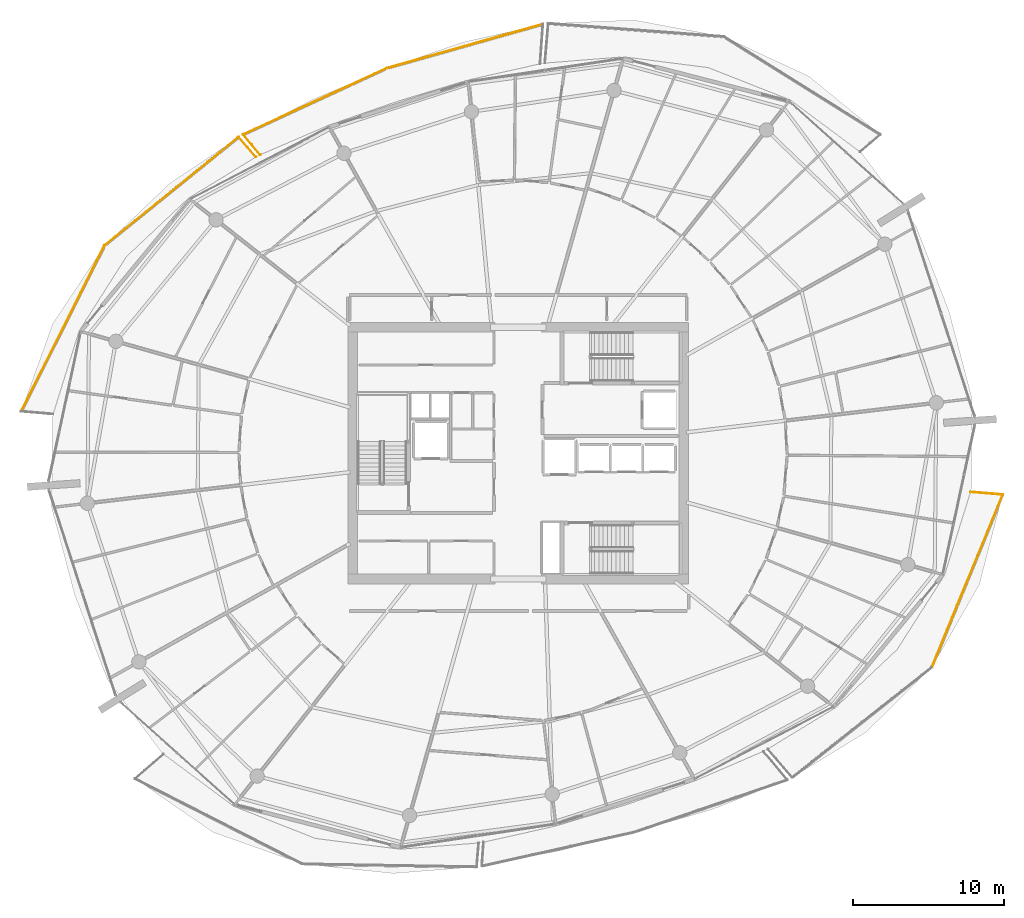
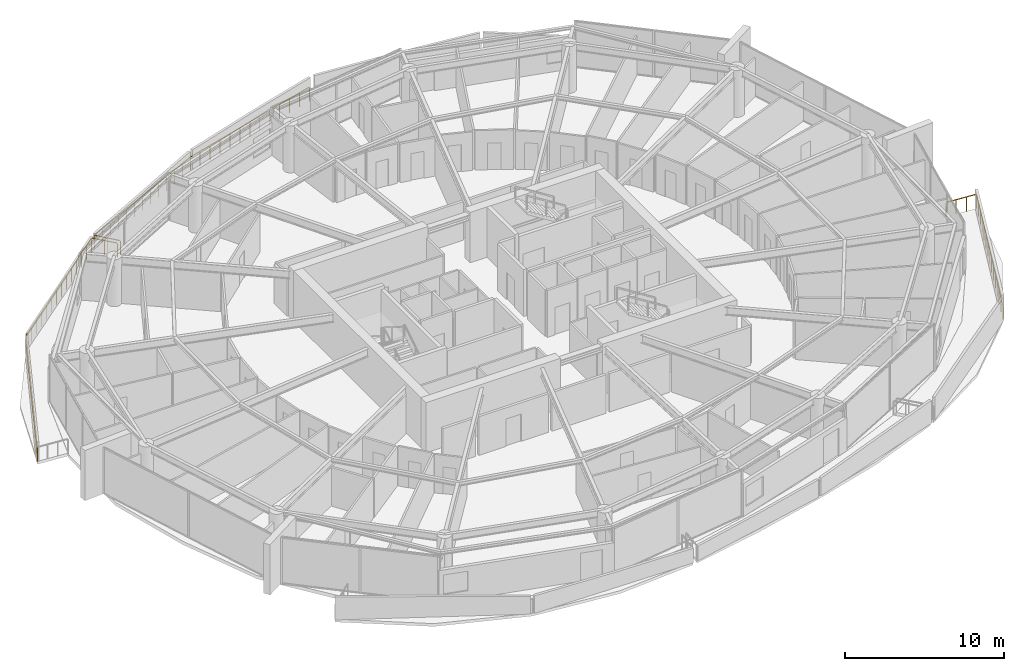
# One storey, part 27 of 29: 8 railings.
"""IFC4 building model written with IfcOpenShell, lengths in metres."""

from ifc_helpers import new_model, si_unit, direction, frame, origin, origin_2d, place, context, subcontext, project, spatial, rectangle, extrude, material, type_object, element, save


model = new_model("IFC4")

# Units and contexts
model_context = context("Model", 3, precision=1e-05, world=origin(), true_north=direction((0.0, 1.0)))
body_context = subcontext(model_context, "Body", "Model", "MODEL_VIEW")
ifc_project = project(units=[si_unit("LENGTHUNIT", "METRE"), si_unit("AREAUNIT", "SQUARE_METRE"), si_unit("VOLUMEUNIT", "CUBIC_METRE"), si_unit("PLANEANGLEUNIT", "RADIAN"), si_unit("MASSUNIT", "GRAM", prefix="KILO")], contexts=[model_context])

# Site, building, storey
site_placement = place(None, origin())
site = spatial("IfcSite", under=ifc_project, at=site_placement, CompositionType="ELEMENT")
building_placement = place(site_placement, origin())
building = spatial("IfcBuilding", under=site, at=building_placement, Name="Kazma Halo Residences", CompositionType="ELEMENT")
storey_placement = place(building_placement, frame((0.0, 0.0, 252.10009765625)))
storey = spatial("IfcBuildingStorey", under=building, at=storey_placement, Name="L63", CompositionType="ELEMENT", Elevation=252.10009765625)

# Railings
ifc_material = material(Name="Aluminium AW-6063 T6 Brushed Cap Rail", Category="aluminium")
railing_type = type_object("IfcRailingType", Name="RLG-BAL-CAP-1120", PredefinedType="BALUSTRADE", material=ifc_material)
railing_1_placement = place(storey_placement, frame((50.05810546875, 70.364501953125, 0.0)))
element("IfcRailing", 1, at=railing_1_placement, inside=storey, type_object=railing_type, Name="L63 NNW wave balcony guard 2", PredefinedType="BALUSTRADE", context=body_context, shape_type="SweptSolid", body=[
    extrude(rectangle(XDim=0.050048828125, YDim=0.050048828125, at=origin_2d()), frame((-0.041015625, -0.011474609375, 1.09521484375), z_axis=(-0.962459277596, -0.271426120647, 0.0), x_axis=(0.271426120647, -0.962459277596, 0.0)), (0.0, 0.0, 1.0), 10.645751953125),
    extrude(rectangle(XDim=0.0400390625, YDim=0.0400390625, at=origin_2d()), origin(), (0.0, 0.0, 1.0), 1.05810546875),
    extrude(rectangle(XDim=0.0400390625, YDim=0.0400390625, at=origin_2d()), frame((-0.860595703125, -0.24267578125, 0.0)), (0.0, 0.0, 1.0), 1.05810546875),
    extrude(rectangle(XDim=0.0400390625, YDim=0.0400390625, at=origin_2d()), frame((-1.72119140625, -0.4853515625, 0.0)), (0.0, 0.0, 1.0), 1.05810546875),
    extrude(rectangle(XDim=0.0400390625, YDim=0.0400390625, at=origin_2d()), frame((-2.58203125, -0.72802734375, 0.0)), (0.0, 0.0, 1.0), 1.05810546875),
    extrude(rectangle(XDim=0.0400390625, YDim=0.0400390625, at=origin_2d()), frame((-3.442626953125, -0.970947265625, 0.0)), (0.0, 0.0, 1.0), 1.05810546875),
    extrude(rectangle(XDim=0.0400390625, YDim=0.0400390625, at=origin_2d()), frame((-4.30322265625, -1.213623046875, 0.0)), (0.0, 0.0, 1.0), 1.05810546875),
    extrude(rectangle(XDim=0.0400390625, YDim=0.0400390625, at=origin_2d()), frame((-5.1640625, -1.456298828125, 0.0)), (0.0, 0.0, 1.0), 1.05810546875),
    extrude(rectangle(XDim=0.0400390625, YDim=0.0400390625, at=origin_2d()), frame((-6.024658203125, -1.698974609375, 0.0)), (0.0, 0.0, 1.0), 1.05810546875),
    extrude(rectangle(XDim=0.0400390625, YDim=0.0400390625, at=origin_2d()), frame((-6.88525390625, -1.941650390625, 0.0)), (0.0, 0.0, 1.0), 1.05810546875),
    extrude(rectangle(XDim=0.0400390625, YDim=0.0400390625, at=origin_2d()), frame((-7.745849609375, -2.1845703125, 0.0)), (0.0, 0.0, 1.0), 1.05810546875),
    extrude(rectangle(XDim=0.0400390625, YDim=0.0400390625, at=origin_2d()), frame((-8.6064453125, -2.42724609375, 0.0)), (0.0, 0.0, 1.0), 1.05810546875),
    extrude(rectangle(XDim=0.0400390625, YDim=0.0400390625, at=origin_2d()), frame((-9.46728515625, -2.669921875, 0.0)), (0.0, 0.0, 1.0), 1.05810546875),
    extrude(rectangle(XDim=0.0400390625, YDim=0.0400390625, at=origin_2d()), frame((-10.327880859375, -2.91259765625, 0.0)), (0.0, 0.0, 1.0), 1.05810546875),
])
railing_2_placement = place(storey_placement, frame((39.730224609375, 67.451904296875, 0.0)))
element("IfcRailing", 2, at=railing_2_placement, inside=storey, type_object=railing_type, Name="L63 NNW wave balcony guard 3", PredefinedType="BALUSTRADE", context=body_context, shape_type="SweptSolid", body=[
    extrude(rectangle(XDim=0.050048828125, YDim=0.050048828125, at=origin_2d()), frame((-0.03857421875, -0.017822265625, 1.09521484375), z_axis=(-0.907848041768, -0.419299335867, 0.0), x_axis=(0.419299335867, -0.907848041768, 0.0)), (0.0, 0.0, 1.0), 10.378662109375),
    extrude(rectangle(XDim=0.0400390625, YDim=0.0400390625, at=origin_2d()), origin(), (0.0, 0.0, 1.0), 1.05810546875),
    extrude(rectangle(XDim=0.0400390625, YDim=0.0400390625, at=origin_2d()), frame((-0.79150390625, -0.36572265625, 0.0)), (0.0, 0.0, 1.0), 1.05810546875),
    extrude(rectangle(XDim=0.0400390625, YDim=0.0400390625, at=origin_2d()), frame((-1.583251953125, -0.731201171875, 0.0)), (0.0, 0.0, 1.0), 1.05810546875),
    extrude(rectangle(XDim=0.0400390625, YDim=0.0400390625, at=origin_2d()), frame((-2.375, -1.096923828125, 0.0)), (0.0, 0.0, 1.0), 1.05810546875),
    extrude(rectangle(XDim=0.0400390625, YDim=0.0400390625, at=origin_2d()), frame((-3.16650390625, -1.46240234375, 0.0)), (0.0, 0.0, 1.0), 1.05810546875),
    extrude(rectangle(XDim=0.0400390625, YDim=0.0400390625, at=origin_2d()), frame((-3.9580078125, -1.828125, 0.0)), (0.0, 0.0, 1.0), 1.05810546875),
    extrude(rectangle(XDim=0.0400390625, YDim=0.0400390625, at=origin_2d()), frame((-4.749755859375, -2.19384765625, 0.0)), (0.0, 0.0, 1.0), 1.05810546875),
    extrude(rectangle(XDim=0.0400390625, YDim=0.0400390625, at=origin_2d()), frame((-5.54150390625, -2.559326171875, 0.0)), (0.0, 0.0, 1.0), 1.05810546875),
    extrude(rectangle(XDim=0.0400390625, YDim=0.0400390625, at=origin_2d()), frame((-6.3330078125, -2.925048828125, 0.0)), (0.0, 0.0, 1.0), 1.05810546875),
    extrude(rectangle(XDim=0.0400390625, YDim=0.0400390625, at=origin_2d()), frame((-7.12451171875, -3.29052734375, 0.0)), (0.0, 0.0, 1.0), 1.05810546875),
    extrude(rectangle(XDim=0.0400390625, YDim=0.0400390625, at=origin_2d()), frame((-7.916259765625, -3.65625, 0.0)), (0.0, 0.0, 1.0), 1.05810546875),
    extrude(rectangle(XDim=0.0400390625, YDim=0.0400390625, at=origin_2d()), frame((-8.7080078125, -4.021728515625, 0.0)), (0.0, 0.0, 1.0), 1.05810546875),
    extrude(rectangle(XDim=0.0400390625, YDim=0.0400390625, at=origin_2d()), frame((-9.49951171875, -4.387451171875, 0.0)), (0.0, 0.0, 1.0), 1.05810546875),
])
railing_3_placement = place(storey_placement, frame((30.230712890625, 63.064453125, 0.0)))
element("IfcRailing", 3, at=railing_3_placement, inside=storey, type_object=railing_type, Name="L63 NNW wave balcony guard 4", PredefinedType="BALUSTRADE", context=body_context, shape_type="SweptSolid", body=[
    extrude(rectangle(XDim=0.050048828125, YDim=0.050048828125, at=origin_2d()), frame((0.02734375, -0.032470703125, 1.09521484375), z_axis=(0.644812173363, -0.764341063324, 0.0), x_axis=(0.764341063324, 0.644812173363, 0.0)), (0.0, 0.0, 1.0), 1.6591796875),
    extrude(rectangle(XDim=0.0400390625, YDim=0.0400390625, at=origin_2d()), origin(), (0.0, 0.0, 1.0), 1.05810546875),
    extrude(rectangle(XDim=0.0400390625, YDim=0.0400390625, at=origin_2d()), frame((0.5625, -0.66650390625, 0.0)), (0.0, 0.0, 1.0), 1.05810546875),
    extrude(rectangle(XDim=0.0400390625, YDim=0.0400390625, at=origin_2d()), frame((1.124755859375, -1.333251953125, 0.0)), (0.0, 0.0, 1.0), 1.05810546875),
])
railing_4_placement = place(storey_placement, frame((31.06787109375, 61.58154296875, 0.0)))
element("IfcRailing", 4, at=railing_4_placement, inside=storey, type_object=railing_type, Name="L63 NW wave balcony guard 1", PredefinedType="BALUSTRADE", context=body_context, shape_type="SweptSolid", body=[
    extrude(rectangle(XDim=0.050048828125, YDim=0.050048828125, at=origin_2d()), frame((-0.02783203125, 0.0322265625, 1.09521484375), z_axis=(-0.654051886651, 0.7564496874, 0.0), x_axis=(-0.7564496874, -0.654051886651, 0.0)), (0.0, 0.0, 1.0), 1.650634765625),
    extrude(rectangle(XDim=0.0400390625, YDim=0.0400390625, at=origin_2d()), origin(), (0.0, 0.0, 1.0), 1.05810546875),
    extrude(rectangle(XDim=0.0400390625, YDim=0.0400390625, at=origin_2d()), frame((-0.567626953125, 0.656494140625, 0.0)), (0.0, 0.0, 1.0), 1.05810546875),
    extrude(rectangle(XDim=0.0400390625, YDim=0.0400390625, at=origin_2d()), frame((-1.13525390625, 1.31298828125, 0.0)), (0.0, 0.0, 1.0), 1.05810546875),
])
railing_5_placement = place(storey_placement, frame((29.9326171875, 62.89453125, 0.0)))
element("IfcRailing", 5, at=railing_5_placement, inside=storey, type_object=railing_type, Name="L63 NW wave balcony guard 2", PredefinedType="BALUSTRADE", context=body_context, shape_type="SweptSolid", body=[
    extrude(rectangle(XDim=0.050048828125, YDim=0.050048828125, at=origin_2d()), frame((-0.033203125, -0.02685546875, 1.09521484375), z_axis=(-0.777696828028, -0.628639518067, 0.0), x_axis=(0.628639518067, -0.777696828028, 0.0)), (0.0, 0.0, 1.0), 11.319580078125),
    extrude(rectangle(XDim=0.0400390625, YDim=0.0400390625, at=origin_2d()), origin(), (0.0, 0.0, 1.0), 1.05810546875),
    extrude(rectangle(XDim=0.0400390625, YDim=0.0400390625, at=origin_2d()), frame((-0.682373046875, -0.551513671875, 0.0)), (0.0, 0.0, 1.0), 1.05810546875),
    extrude(rectangle(XDim=0.0400390625, YDim=0.0400390625, at=origin_2d()), frame((-1.364501953125, -1.10302734375, 0.0)), (0.0, 0.0, 1.0), 1.05810546875),
    extrude(rectangle(XDim=0.0400390625, YDim=0.0400390625, at=origin_2d()), frame((-2.046875, -1.654541015625, 0.0)), (0.0, 0.0, 1.0), 1.05810546875),
    extrude(rectangle(XDim=0.0400390625, YDim=0.0400390625, at=origin_2d()), frame((-2.72900390625, -2.2060546875, 0.0)), (0.0, 0.0, 1.0), 1.05810546875),
    extrude(rectangle(XDim=0.0400390625, YDim=0.0400390625, at=origin_2d()), frame((-3.411376953125, -2.757568359375, 0.0)), (0.0, 0.0, 1.0), 1.05810546875),
    extrude(rectangle(XDim=0.0400390625, YDim=0.0400390625, at=origin_2d()), frame((-4.093505859375, -3.30908203125, 0.0)), (0.0, 0.0, 1.0), 1.05810546875),
    extrude(rectangle(XDim=0.0400390625, YDim=0.0400390625, at=origin_2d()), frame((-4.77587890625, -3.8603515625, 0.0)), (0.0, 0.0, 1.0), 1.05810546875),
    extrude(rectangle(XDim=0.0400390625, YDim=0.0400390625, at=origin_2d()), frame((-5.4580078125, -4.411865234375, 0.0)), (0.0, 0.0, 1.0), 1.05810546875),
    extrude(rectangle(XDim=0.0400390625, YDim=0.0400390625, at=origin_2d()), frame((-6.140380859375, -4.96337890625, 0.0)), (0.0, 0.0, 1.0), 1.05810546875),
    extrude(rectangle(XDim=0.0400390625, YDim=0.0400390625, at=origin_2d()), frame((-6.822509765625, -5.514892578125, 0.0)), (0.0, 0.0, 1.0), 1.05810546875),
    extrude(rectangle(XDim=0.0400390625, YDim=0.0400390625, at=origin_2d()), frame((-7.5048828125, -6.06640625, 0.0)), (0.0, 0.0, 1.0), 1.05810546875),
    extrude(rectangle(XDim=0.0400390625, YDim=0.0400390625, at=origin_2d()), frame((-8.18701171875, -6.617919921875, 0.0)), (0.0, 0.0, 1.0), 1.05810546875),
    extrude(rectangle(XDim=0.0400390625, YDim=0.0400390625, at=origin_2d()), frame((-8.869384765625, -7.16943359375, 0.0)), (0.0, 0.0, 1.0), 1.05810546875),
])
railing_6_placement = place(storey_placement, frame((21.063232421875, 55.72509765625, 0.0)))
element("IfcRailing", 6, at=railing_6_placement, inside=storey, type_object=railing_type, Name="L63 NW wave balcony guard 3", PredefinedType="BALUSTRADE", context=body_context, shape_type="SweptSolid", body=[
    extrude(rectangle(XDim=0.050048828125, YDim=0.050048828125, at=origin_2d()), frame((-0.01904296875, -0.0380859375, 1.09521484375), z_axis=(-0.449279975195, -0.893391013996, 0.0), x_axis=(0.893391013996, -0.449279975195, 0.0)), (0.0, 0.0, 1.0), 12.1953125),
    extrude(rectangle(XDim=0.0400390625, YDim=0.0400390625, at=origin_2d()), origin(), (0.0, 0.0, 1.0), 1.05810546875),
    extrude(rectangle(XDim=0.0400390625, YDim=0.0400390625, at=origin_2d()), frame((-0.39404296875, -0.78369140625, 0.0)), (0.0, 0.0, 1.0), 1.05810546875),
    extrude(rectangle(XDim=0.0400390625, YDim=0.0400390625, at=origin_2d()), frame((-0.7880859375, -1.5673828125, 0.0)), (0.0, 0.0, 1.0), 1.05810546875),
    extrude(rectangle(XDim=0.0400390625, YDim=0.0400390625, at=origin_2d()), frame((-1.182373046875, -2.35107421875, 0.0)), (0.0, 0.0, 1.0), 1.05810546875),
    extrude(rectangle(XDim=0.0400390625, YDim=0.0400390625, at=origin_2d()), frame((-1.576416015625, -3.134521484375, 0.0)), (0.0, 0.0, 1.0), 1.05810546875),
    extrude(rectangle(XDim=0.0400390625, YDim=0.0400390625, at=origin_2d()), frame((-1.970458984375, -3.918212890625, 0.0)), (0.0, 0.0, 1.0), 1.05810546875),
    extrude(rectangle(XDim=0.0400390625, YDim=0.0400390625, at=origin_2d()), frame((-2.364501953125, -4.701904296875, 0.0)), (0.0, 0.0, 1.0), 1.05810546875),
    extrude(rectangle(XDim=0.0400390625, YDim=0.0400390625, at=origin_2d()), frame((-2.7587890625, -5.485595703125, 0.0)), (0.0, 0.0, 1.0), 1.05810546875),
    extrude(rectangle(XDim=0.0400390625, YDim=0.0400390625, at=origin_2d()), frame((-3.15283203125, -6.269287109375, 0.0)), (0.0, 0.0, 1.0), 1.05810546875),
    extrude(rectangle(XDim=0.0400390625, YDim=0.0400390625, at=origin_2d()), frame((-3.546875, -7.052978515625, 0.0)), (0.0, 0.0, 1.0), 1.05810546875),
    extrude(rectangle(XDim=0.0400390625, YDim=0.0400390625, at=origin_2d()), frame((-3.94091796875, -7.836669921875, 0.0)), (0.0, 0.0, 1.0), 1.05810546875),
    extrude(rectangle(XDim=0.0400390625, YDim=0.0400390625, at=origin_2d()), frame((-4.3349609375, -8.6201171875, 0.0)), (0.0, 0.0, 1.0), 1.05810546875),
    extrude(rectangle(XDim=0.0400390625, YDim=0.0400390625, at=origin_2d()), frame((-4.729248046875, -9.40380859375, 0.0)), (0.0, 0.0, 1.0), 1.05810546875),
    extrude(rectangle(XDim=0.0400390625, YDim=0.0400390625, at=origin_2d()), frame((-5.123291015625, -10.1875, 0.0)), (0.0, 0.0, 1.0), 1.05810546875),
    extrude(rectangle(XDim=0.0400390625, YDim=0.0400390625, at=origin_2d()), frame((-5.517333984375, -10.97119140625, 0.0)), (0.0, 0.0, 1.0), 1.05810546875),
])
railing_7_placement = place(storey_placement, frame((75.79296875, 27.8388671875, 0.0)))
element("IfcRailing", 7, at=railing_7_placement, inside=storey, type_object=railing_type, Name="L63 SE wave balcony guard 3", PredefinedType="BALUSTRADE", context=body_context, shape_type="SweptSolid", body=[
    extrude(rectangle(XDim=0.050048828125, YDim=0.050048828125, at=origin_2d()), frame((0.01611328125, 0.039306640625, 1.09521484375), z_axis=(0.379601121208, 0.925150252001, 0.0), x_axis=(-0.925150252001, 0.379601121208, 0.0)), (0.0, 0.0, 1.0), 12.243408203125),
    extrude(rectangle(XDim=0.0400390625, YDim=0.0400390625, at=origin_2d()), origin(), (0.0, 0.0, 1.0), 1.05810546875),
    extrude(rectangle(XDim=0.0400390625, YDim=0.0400390625, at=origin_2d()), frame((0.334228515625, 0.814697265625, 0.0)), (0.0, 0.0, 1.0), 1.05810546875),
    extrude(rectangle(XDim=0.0400390625, YDim=0.0400390625, at=origin_2d()), frame((0.66845703125, 1.62939453125, 0.0)), (0.0, 0.0, 1.0), 1.05810546875),
    extrude(rectangle(XDim=0.0400390625, YDim=0.0400390625, at=origin_2d()), frame((1.0029296875, 2.444091796875, 0.0)), (0.0, 0.0, 1.0), 1.05810546875),
    extrude(rectangle(XDim=0.0400390625, YDim=0.0400390625, at=origin_2d()), frame((1.337158203125, 3.2587890625, 0.0)), (0.0, 0.0, 1.0), 1.05810546875),
    extrude(rectangle(XDim=0.0400390625, YDim=0.0400390625, at=origin_2d()), frame((1.67138671875, 4.073486328125, 0.0)), (0.0, 0.0, 1.0), 1.05810546875),
    extrude(rectangle(XDim=0.0400390625, YDim=0.0400390625, at=origin_2d()), frame((2.005615234375, 4.88818359375, 0.0)), (0.0, 0.0, 1.0), 1.05810546875),
    extrude(rectangle(XDim=0.0400390625, YDim=0.0400390625, at=origin_2d()), frame((2.33984375, 5.702880859375, 0.0)), (0.0, 0.0, 1.0), 1.05810546875),
    extrude(rectangle(XDim=0.0400390625, YDim=0.0400390625, at=origin_2d()), frame((2.67431640625, 6.517578125, 0.0)), (0.0, 0.0, 1.0), 1.05810546875),
    extrude(rectangle(XDim=0.0400390625, YDim=0.0400390625, at=origin_2d()), frame((3.008544921875, 7.332275390625, 0.0)), (0.0, 0.0, 1.0), 1.05810546875),
    extrude(rectangle(XDim=0.0400390625, YDim=0.0400390625, at=origin_2d()), frame((3.3427734375, 8.14697265625, 0.0)), (0.0, 0.0, 1.0), 1.05810546875),
    extrude(rectangle(XDim=0.0400390625, YDim=0.0400390625, at=origin_2d()), frame((3.677001953125, 8.961669921875, 0.0)), (0.0, 0.0, 1.0), 1.05810546875),
    extrude(rectangle(XDim=0.0400390625, YDim=0.0400390625, at=origin_2d()), frame((4.011474609375, 9.7763671875, 0.0)), (0.0, 0.0, 1.0), 1.05810546875),
    extrude(rectangle(XDim=0.0400390625, YDim=0.0400390625, at=origin_2d()), frame((4.345703125, 10.591064453125, 0.0)), (0.0, 0.0, 1.0), 1.05810546875),
    extrude(rectangle(XDim=0.0400390625, YDim=0.0400390625, at=origin_2d()), frame((4.679931640625, 11.40576171875, 0.0)), (0.0, 0.0, 1.0), 1.05810546875),
])
railing_8_placement = place(storey_placement, frame((80.472900390625, 39.24462890625, 0.0)))
element("IfcRailing", 8, at=railing_8_placement, inside=storey, type_object=railing_type, Name="L63 SE wave balcony guard 4", PredefinedType="BALUSTRADE", context=body_context, shape_type="SweptSolid", body=[
    extrude(rectangle(XDim=0.050048828125, YDim=0.050048828125, at=origin_2d()), frame((-0.04248046875, 0.003662109375, 1.09521484375), z_axis=(-0.99641734676, 0.084572283141, 0.0), x_axis=(-0.084572283141, -0.99641734676, 0.0)), (0.0, 0.0, 1.0), 2.04541015625),
    extrude(rectangle(XDim=0.0400390625, YDim=0.0400390625, at=origin_2d()), origin(), (0.0, 0.0, 1.0), 1.05810546875),
    extrude(rectangle(XDim=0.0400390625, YDim=0.0400390625, at=origin_2d()), frame((-0.70751953125, 0.06005859375, 0.0)), (0.0, 0.0, 1.0), 1.05810546875),
    extrude(rectangle(XDim=0.0400390625, YDim=0.0400390625, at=origin_2d()), frame((-1.415283203125, 0.1201171875, 0.0)), (0.0, 0.0, 1.0), 1.05810546875),
    extrude(rectangle(XDim=0.0400390625, YDim=0.0400390625, at=origin_2d()), frame((-2.122802734375, 0.18017578125, 0.0)), (0.0, 0.0, 1.0), 1.05810546875),
])

save(model, "model.ifc")
